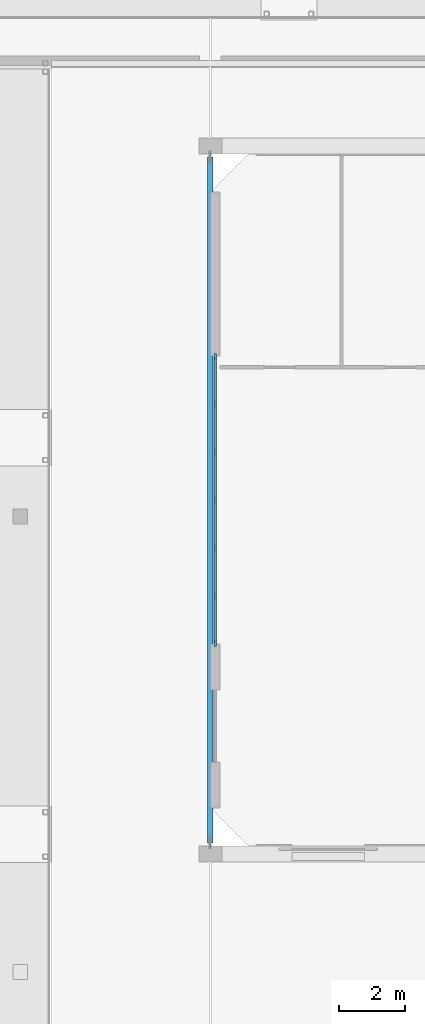
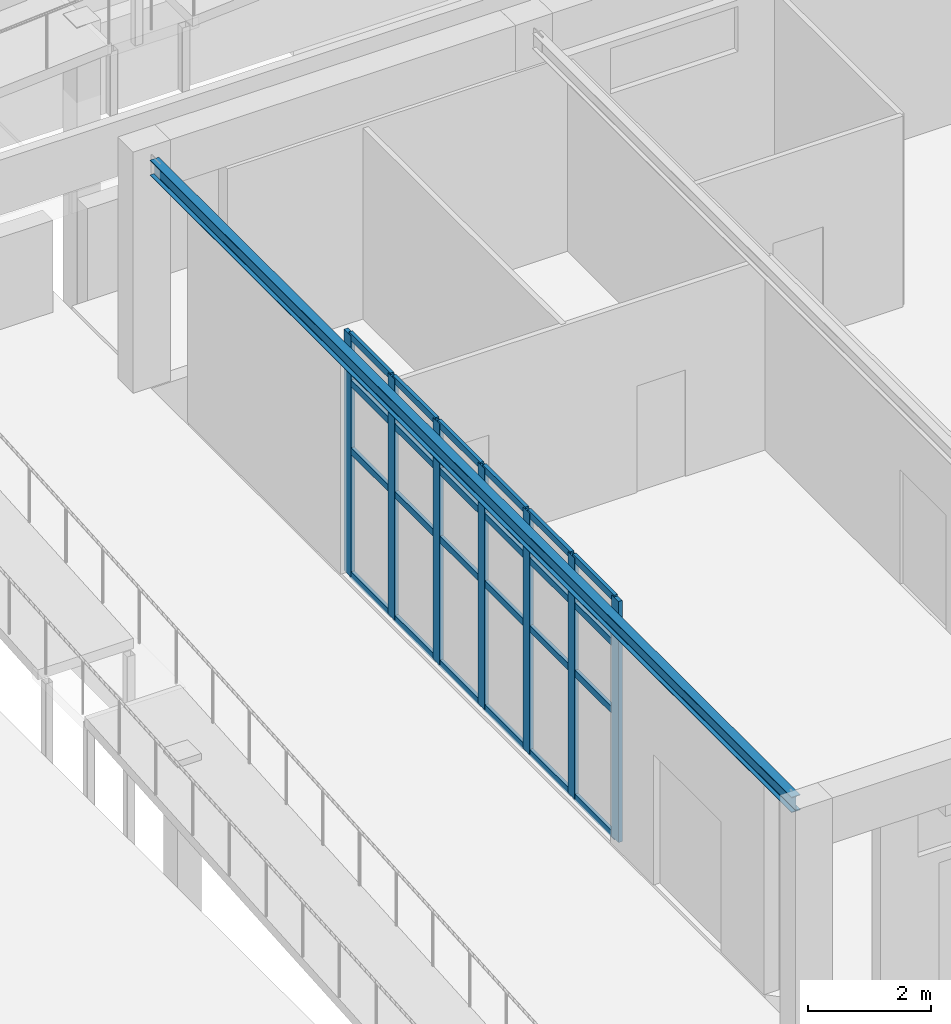
# One storey, part 26 of 85: 31 members, 1 beam, 1 element without a shape of its own.
"""IFC4 building model written with IfcOpenShell, lengths in metres."""

import ifcopenshell
import ifcopenshell.guid

model = None  # the IFC model being written
_history = None  # IfcOwnerHistory: only IFC2X3 demands one
_inside = {}  # id of a spatial element -> (the spatial element, [elements in it])
_under = {}  # id of a project, library or spatial element -> (it, [spatial elements below it])
_declared = {}  # id of a project -> (the project, [libraries it declares])
_typed = {}  # id of a type object -> (the type object, [elements of that type])
_made_of = {}  # id of a material, layer set ... -> (it, [elements and type objects made of it])


def new_model(schema):
    """Start an empty IFC model of exactly this schema.

    Asked for "IFC4X3", IfcOpenShell would pick the latest addendum, in which some entities
    have other attributes; the version numbers below select the first issue.
    IFC2X3 requires an IfcOwnerHistory on every rooted entity: one is made here for all.
    """
    global model, _history
    if schema == "IFC4X3":
        model = ifcopenshell.file(schema_version=(4, 3, 0, 0))
    else:
        model = ifcopenshell.file(schema=schema)
    _inside.clear()
    _under.clear()
    _declared.clear()
    _typed.clear()
    _made_of.clear()
    _history = None
    if model.schema == "IFC2X3":
        org = make("IfcOrganization", Name="unknown")
        user = make(
            "IfcPersonAndOrganization",
            ThePerson=make("IfcPerson", FamilyName="unknown"),
            TheOrganization=org,
        )
        app = make(
            "IfcApplication",
            ApplicationDeveloper=org,
            Version="unknown",
            ApplicationFullName="unknown",
            ApplicationIdentifier="unknown",
        )
        _history = make(
            "IfcOwnerHistory",
            OwningUser=user,
            OwningApplication=app,
            ChangeAction="ADDED",
            CreationDate=0,
        )
    return model


def make(cls, **values):
    """One entity of the class cls with the attributes given. An attribute that is None is left unset."""
    return model.create_entity(
        cls, **{name: value for name, value in values.items() if value is not None}
    )


def rooted(cls, **values):
    """An entity with a GlobalId (a new one), such as an element, a storey or a relation."""
    return make(cls, GlobalId=ifcopenshell.guid.new(), OwnerHistory=_history, **values)


def si_unit(unit_type, name, prefix=None):
    """IfcSIUnit, for example si_unit("LENGTHUNIT", "METRE", prefix="MILLI")."""
    return make("IfcSIUnit", UnitType=unit_type, Prefix=prefix, Name=name)


def assignment(units):
    """IfcUnitAssignment: the units of a project."""
    return None if units is None else make("IfcUnitAssignment", Units=units)


def point(xyz):
    """IfcCartesianPoint."""
    return None if xyz is None else make("IfcCartesianPoint", Coordinates=xyz)


def direction(xyz):
    """IfcDirection."""
    return None if xyz is None else make("IfcDirection", DirectionRatios=xyz)


def frame(location, z_axis=None, x_axis=None):
    """IfcAxis2Placement3D, a coordinate frame: its origin and axes. An axis left out is left unset."""
    return make(
        "IfcAxis2Placement3D",
        Location=point(location),
        Axis=direction(z_axis),
        RefDirection=direction(x_axis),
    )


def frame_2d(location, x_axis=None):
    """IfcAxis2Placement2D, a coordinate frame in the plane: its origin and x axis."""
    return make(
        "IfcAxis2Placement2D", Location=point(location), RefDirection=direction(x_axis)
    )


def origin():
    """The frame at (0, 0, 0) with its axes left unset."""
    return frame((0.0, 0.0, 0.0))


def origin_2d():
    """The frame at (0, 0) in the plane with its x axis left unset."""
    return frame_2d((0.0, 0.0))


def place(relative_to, where):
    """IfcLocalPlacement: puts the frame where relative to a parent placement (None: the world)."""
    return make(
        "IfcLocalPlacement", PlacementRelTo=relative_to, RelativePlacement=where
    )


def context(
    kind, dimensions, precision=None, world=None, true_north=None, identifier=None
):
    """IfcGeometricRepresentationContext, for example the 3D "Model" context."""
    return make(
        "IfcGeometricRepresentationContext",
        ContextIdentifier=identifier,
        ContextType=kind,
        CoordinateSpaceDimension=dimensions,
        Precision=precision,
        WorldCoordinateSystem=world,
        TrueNorth=true_north,
    )


def subcontext(parent, identifier, kind, view, scale=None):
    """IfcGeometricRepresentationSubContext, for example "Body" below "Model"."""
    return make(
        "IfcGeometricRepresentationSubContext",
        ContextIdentifier=identifier,
        ContextType=kind,
        ParentContext=parent,
        TargetScale=scale,
        TargetView=view,
    )


def project(units=None, contexts=None):
    """IfcProject with its units and contexts."""
    return rooted(
        "IfcProject",
        Name="project",
        RepresentationContexts=contexts,
        UnitsInContext=assignment(units),
    )


def spatial(cls, under=None, at=None, **own):
    """A site, building, storey or space (cls), placed at a placement, below another one or the project."""
    s = rooted(cls, ObjectPlacement=at, **own)
    if under is not None:
        _under.setdefault(under.id(), (under, []))[1].append(s)
    return s


def profile(cls, at=None, kind="AREA", **sizes):
    """A parametric profile (cls). Its sizes go by their IFC names, for example OverallWidth=200.0."""
    return make(cls, ProfileType=kind, Position=at, **sizes)


def rectangle(**sizes):
    """IfcRectangleProfileDef."""
    return profile("IfcRectangleProfileDef", **sizes)


def i_section(**sizes):
    """IfcIShapeProfileDef."""
    return profile("IfcIShapeProfileDef", **sizes)


def extrude(swept, where, along, depth):
    """IfcExtrudedAreaSolid: the profile swept, set in the frame where, extruded along a direction by depth."""
    return make(
        "IfcExtrudedAreaSolid",
        SweptArea=swept,
        Position=where,
        ExtrudedDirection=direction(along),
        Depth=depth,
    )


def shape(context_of_items, identifier, shape_type, items):
    """IfcShapeRepresentation: the items that make up one representation, for example the "Body"."""
    return make(
        "IfcShapeRepresentation",
        ContextOfItems=context_of_items,
        RepresentationIdentifier=identifier,
        RepresentationType=shape_type,
        Items=items,
    )


def material(Name=None, Category=None):
    """IfcMaterial."""
    return make("IfcMaterial", Name=Name, Category=Category)


def layer(
    of_material, thickness, ventilated=None, Name=None, Category=None, Priority=None
):
    """IfcMaterialLayer: one layer of a wall or slab, of a material (None: an air gap)."""
    return make(
        "IfcMaterialLayer",
        Material=of_material,
        LayerThickness=thickness,
        IsVentilated=ventilated,
        Name=Name,
        Category=Category,
        Priority=Priority,
    )


def layer_set(layers, Name=None):
    """IfcMaterialLayerSet."""
    return make("IfcMaterialLayerSet", MaterialLayers=layers, LayerSetName=Name)


def material_profile(
    of_material, cross_section, Name=None, Category=None, Priority=None
):
    """IfcMaterialProfile: a cross section and its material."""
    return make(
        "IfcMaterialProfile",
        Name=Name,
        Material=of_material,
        Profile=cross_section,
        Priority=Priority,
        Category=Category,
    )


def profile_set(profiles, Name=None, composite=None):
    """IfcMaterialProfileSet."""
    return make(
        "IfcMaterialProfileSet",
        Name=Name,
        MaterialProfiles=profiles,
        CompositeProfile=composite,
    )


def made_of(thing, what):
    """Note that an element or type object is made of a material, layer set ...; save() writes the relation."""
    if what is not None:
        _made_of.setdefault(what.id(), (what, []))[1].append(thing)
    return thing


def type_object(cls, material=None, **own):
    """A type object (cls), such as IfcWallType, which elements share."""
    return made_of(rooted(cls, **own), material)


def element(
    cls,
    number,
    at=None,
    inside=None,
    cuts=None,
    type_object=None,
    material=None,
    context=None,
    identifier="Body",
    shape_type=None,
    held_by="IfcProductDefinitionShape",
    body=None,
    shapes=None,
    **own,
):
    """One element of the class cls, such as IfcWall. Its Tag is "e" and its number.

    at: its placement. inside: the storey or other place that contains it. cuts: it is an
    opening in that element (IfcRelVoidsElement). A single representation is given by context,
    identifier, shape_type and body (its items); several are given by shapes. held_by: the class
    of the entity that holds the representations. save() writes the other relations.
    """
    e = rooted(cls, Tag="e%d" % number, ObjectPlacement=at, **own)
    if body is not None:
        shapes = [shape(context, identifier, shape_type, body)]
    if shapes is not None:
        e.Representation = make(held_by, Representations=shapes)
    if inside is not None:
        _inside.setdefault(inside.id(), (inside, []))[1].append(e)
    if cuts is not None:
        rooted(
            "IfcRelVoidsElement", RelatingBuildingElement=cuts, RelatedOpeningElement=e
        )
    if type_object is not None:
        _typed.setdefault(type_object.id(), (type_object, []))[1].append(e)
    return made_of(e, material)


def aggregate(whole, parts):
    """IfcRelAggregates: a whole, such as a stair, and the parts it consists of."""
    return rooted("IfcRelAggregates", RelatingObject=whole, RelatedObjects=parts)


def save(model, path):
    """Write the relations noted so far, then the file.

    IfcRelAggregates (storeys below a building ...), IfcRelContainedInSpatialStructure (elements
    in a storey), IfcRelDefinesByType, IfcRelAssociatesMaterial and IfcRelDeclares: one each for
    every whole, place, type object, material and project.
    """
    for whole, parts in _under.values():
        aggregate(whole, parts)
    for where, things in _inside.values():
        rooted(
            "IfcRelContainedInSpatialStructure",
            RelatedElements=things,
            RelatingStructure=where,
        )
    for kind, things in _typed.values():
        rooted("IfcRelDefinesByType", RelatedObjects=things, RelatingType=kind)
    for what, things in _made_of.values():
        rooted("IfcRelAssociatesMaterial", RelatedObjects=things, RelatingMaterial=what)
    for by, libraries in _declared.values():
        rooted("IfcRelDeclares", RelatingContext=by, RelatedDefinitions=libraries)
    model.write(path)


model = new_model("IFC4")

# Units and contexts
model_context = context("Model", 3, precision=1e-05, world=origin(), true_north=direction((0.0, 1.0)))
body_context = subcontext(model_context, "Body", "Model", "MODEL_VIEW")
ifc_project = project(units=[si_unit("LENGTHUNIT", "METRE"), si_unit("AREAUNIT", "SQUARE_METRE"), si_unit("VOLUMEUNIT", "CUBIC_METRE"), si_unit("PLANEANGLEUNIT", "RADIAN"), si_unit("MASSUNIT", "GRAM", prefix="KILO")], contexts=[model_context])

# Site, building, storey
site_placement = place(None, origin())
site = spatial("IfcSite", under=ifc_project, at=site_placement, CompositionType="ELEMENT")
building_placement = place(site_placement, origin())
building = spatial("IfcBuilding", under=site, at=building_placement, Name="Ochrevale Crest", CompositionType="ELEMENT")
storey_placement = place(building_placement, origin())
storey = spatial("IfcBuildingStorey", under=building, at=storey_placement, Name="L00", CompositionType="ELEMENT", Elevation=0.0)

# Beam
ifc_material_1 = material(Name="Steel S355", Category="steel")
ifc_material_profile_1 = material_profile(ifc_material_1, i_section(OverallWidth=0.166015625, OverallDepth=0.30712890625, WebThickness=0.006591796875, FlangeThickness=0.01171875, FilletRadius=0.011474609375, at=origin_2d()), Name="310UB46.2")
ifc_profile_set_1 = profile_set([ifc_material_profile_1], Name="Steel S355")
beam_type = type_object("IfcBeamType", Name="BM-UB310B", PredefinedType="BEAM", material=ifc_profile_set_1)
beam_placement = place(storey_placement, frame((57.60009765625, 43.5400390625, 4.449951171875), z_axis=(0.0, 1.0, 0.0), x_axis=(-1.0, 0.0, 0.0)))
element("IfcBeam", 1, at=beam_placement, inside=storey, type_object=beam_type, Name="Community Hall vault steel tie beam TB-01", PredefinedType="BEAM", context=body_context, shape_type="SweptSolid", body=[
    extrude(i_section(OverallWidth=0.166015625, OverallDepth=0.30712890625, WebThickness=0.006591796875, FlangeThickness=0.01171875, FilletRadius=0.011474609375, at=origin_2d()), origin(), (0.0, 0.0, 1.0), 20.919921875),
])

# Curtain wall, members
ifc_material_2 = material(Name="Anodised aluminium 6063-T5", Category="aluminium")
ifc_layer = layer(ifc_material_2, 0.14990234375)
ifc_layer_set = layer_set([ifc_layer], Name="Anodised aluminium 6063-T5")
curtain_wall_type = type_object("IfcCurtainWallType", Name="CW-HALL-600x430", PredefinedType="NOTDEFINED", material=ifc_layer_set)
curtain_wall_placement = place(storey_placement, origin())
curtain_wall = element("IfcCurtainWall", 2, at=curtain_wall_placement, inside=storey, type_object=curtain_wall_type, Name="Community Hall west grand foyer curtain wall", PredefinedType="NOTDEFINED")
ifc_material_profile_2 = material_profile(ifc_material_2, rectangle(XDim=0.074951171875, YDim=0.219970703125, at=origin_2d()), Name="ALU 75x220")
ifc_profile_set_2 = profile_set([ifc_material_profile_2], Name="Anodised aluminium 6063-T5")
member_type_1 = type_object("IfcMemberType", Name="CW-MUL-75x220", PredefinedType="MULLION", material=ifc_profile_set_2)
member_1_placement = place(storey_placement, frame((57.75, 49.637451171875, 0.0), z_axis=(0.0, 0.0, 1.0), x_axis=(-1.0, 0.0, 0.0)))
member_1 = element("IfcMember", 3, at=member_1_placement, type_object=member_type_1, Name="CW08 mullion 1", PredefinedType="MULLION", context=body_context, shape_type="SweptSolid", body=[
    extrude(rectangle(XDim=0.074951171875, YDim=0.219970703125, at=origin_2d()), origin(), (0.0, 0.0, 1.0), 4.800048828125),
])
member_2_placement = place(storey_placement, frame((57.75, 51.066650390625, 0.0), z_axis=(0.0, 0.0, 1.0), x_axis=(-1.0, 0.0, 0.0)))
member_2 = element("IfcMember", 4, at=member_2_placement, type_object=member_type_1, Name="CW08 mullion 2", PredefinedType="MULLION", context=body_context, shape_type="SweptSolid", body=[
    extrude(rectangle(XDim=0.074951171875, YDim=0.219970703125, at=origin_2d()), origin(), (0.0, 0.0, 1.0), 4.800048828125),
])
member_3_placement = place(storey_placement, frame((57.75, 52.533447265625, 0.0), z_axis=(0.0, 0.0, 1.0), x_axis=(-1.0, 0.0, 0.0)))
member_3 = element("IfcMember", 5, at=member_3_placement, type_object=member_type_1, Name="CW08 mullion 3", PredefinedType="MULLION", context=body_context, shape_type="SweptSolid", body=[
    extrude(rectangle(XDim=0.074951171875, YDim=0.219970703125, at=origin_2d()), origin(), (0.0, 0.0, 1.0), 4.800048828125),
])
member_4_placement = place(storey_placement, frame((57.75, 54.0, 0.0), z_axis=(0.0, 0.0, 1.0), x_axis=(-1.0, 0.0, 0.0)))
member_4 = element("IfcMember", 6, at=member_4_placement, type_object=member_type_1, Name="CW08 mullion 4", PredefinedType="MULLION", context=body_context, shape_type="SweptSolid", body=[
    extrude(rectangle(XDim=0.074951171875, YDim=0.219970703125, at=origin_2d()), origin(), (0.0, 0.0, 1.0), 4.800048828125),
])
member_5_placement = place(storey_placement, frame((57.75, 55.466552734375, 0.0), z_axis=(0.0, 0.0, 1.0), x_axis=(-1.0, 0.0, 0.0)))
member_5 = element("IfcMember", 7, at=member_5_placement, type_object=member_type_1, Name="CW08 mullion 5", PredefinedType="MULLION", context=body_context, shape_type="SweptSolid", body=[
    extrude(rectangle(XDim=0.074951171875, YDim=0.219970703125, at=origin_2d()), origin(), (0.0, 0.0, 1.0), 4.800048828125),
])
member_6_placement = place(storey_placement, frame((57.75, 56.933349609375, 0.0), z_axis=(0.0, 0.0, 1.0), x_axis=(-1.0, 0.0, 0.0)))
member_6 = element("IfcMember", 8, at=member_6_placement, type_object=member_type_1, Name="CW08 mullion 6", PredefinedType="MULLION", context=body_context, shape_type="SweptSolid", body=[
    extrude(rectangle(XDim=0.074951171875, YDim=0.219970703125, at=origin_2d()), origin(), (0.0, 0.0, 1.0), 4.800048828125),
])
member_7_placement = place(storey_placement, frame((57.75, 58.362548828125, 0.0), z_axis=(0.0, 0.0, 1.0), x_axis=(-1.0, 0.0, 0.0)))
member_7 = element("IfcMember", 9, at=member_7_placement, type_object=member_type_1, Name="CW08 mullion 7", PredefinedType="MULLION", context=body_context, shape_type="SweptSolid", body=[
    extrude(rectangle(XDim=0.074951171875, YDim=0.219970703125, at=origin_2d()), origin(), (0.0, 0.0, 1.0), 4.800048828125),
])
ifc_material_profile_3 = material_profile(ifc_material_2, rectangle(XDim=0.06494140625, YDim=0.135009765625, at=origin_2d()), Name="ALU 65x135")
ifc_profile_set_3 = profile_set([ifc_material_profile_3], Name="Anodised aluminium 6063-T5")
member_type_2 = type_object("IfcMemberType", Name="CW-TRN-65x135", PredefinedType="USERDEFINED", material=ifc_profile_set_3)
member_8_placement = place(storey_placement, frame((57.75, 49.675048828125, 0.032470703125), z_axis=(0.0, 1.0, 0.0), x_axis=(-1.0, 0.0, 0.0)))
member_8 = element("IfcMember", 10, at=member_8_placement, type_object=member_type_2, Name="CW08 transom 1.1", ObjectType="TRANSOM", PredefinedType="USERDEFINED", context=body_context, shape_type="SweptSolid", body=[
    extrude(rectangle(XDim=0.06494140625, YDim=0.135009765625, at=origin_2d()), origin(), (0.0, 0.0, 1.0), 1.35400390625),
])
member_9_placement = place(storey_placement, frame((57.75, 49.675048828125, 2.5), z_axis=(0.0, 1.0, 0.0), x_axis=(-1.0, 0.0, 0.0)))
member_9 = element("IfcMember", 11, at=member_9_placement, type_object=member_type_2, Name="CW08 transom 1.2", ObjectType="TRANSOM", PredefinedType="USERDEFINED", context=body_context, shape_type="SweptSolid", body=[
    extrude(rectangle(XDim=0.06494140625, YDim=0.135009765625, at=origin_2d()), origin(), (0.0, 0.0, 1.0), 1.35400390625),
])
member_10_placement = place(storey_placement, frame((57.75, 49.675048828125, 3.85009765625), z_axis=(0.0, 1.0, 0.0), x_axis=(-1.0, 0.0, 0.0)))
member_10 = element("IfcMember", 12, at=member_10_placement, type_object=member_type_2, Name="CW08 transom 1.3", ObjectType="TRANSOM", PredefinedType="USERDEFINED", context=body_context, shape_type="SweptSolid", body=[
    extrude(rectangle(XDim=0.06494140625, YDim=0.135009765625, at=origin_2d()), origin(), (0.0, 0.0, 1.0), 1.35400390625),
])
member_11_placement = place(storey_placement, frame((57.75, 49.675048828125, 4.767578125), z_axis=(0.0, 1.0, 0.0), x_axis=(-1.0, 0.0, 0.0)))
member_11 = element("IfcMember", 13, at=member_11_placement, type_object=member_type_2, Name="CW08 transom 1.4", ObjectType="TRANSOM", PredefinedType="USERDEFINED", context=body_context, shape_type="SweptSolid", body=[
    extrude(rectangle(XDim=0.06494140625, YDim=0.135009765625, at=origin_2d()), origin(), (0.0, 0.0, 1.0), 1.35400390625),
])
member_12_placement = place(storey_placement, frame((57.75, 51.104248046875, 0.032470703125), z_axis=(0.0, 1.0, 0.0), x_axis=(-1.0, 0.0, 0.0)))
member_12 = element("IfcMember", 14, at=member_12_placement, type_object=member_type_2, Name="CW08 transom 2.1", ObjectType="TRANSOM", PredefinedType="USERDEFINED", context=body_context, shape_type="SweptSolid", body=[
    extrude(rectangle(XDim=0.06494140625, YDim=0.135009765625, at=origin_2d()), origin(), (0.0, 0.0, 1.0), 1.3916015625),
])
member_13_placement = place(storey_placement, frame((57.75, 51.104248046875, 2.5), z_axis=(0.0, 1.0, 0.0), x_axis=(-1.0, 0.0, 0.0)))
member_13 = element("IfcMember", 15, at=member_13_placement, type_object=member_type_2, Name="CW08 transom 2.2", ObjectType="TRANSOM", PredefinedType="USERDEFINED", context=body_context, shape_type="SweptSolid", body=[
    extrude(rectangle(XDim=0.06494140625, YDim=0.135009765625, at=origin_2d()), origin(), (0.0, 0.0, 1.0), 1.3916015625),
])
member_14_placement = place(storey_placement, frame((57.75, 51.104248046875, 3.85009765625), z_axis=(0.0, 1.0, 0.0), x_axis=(-1.0, 0.0, 0.0)))
member_14 = element("IfcMember", 16, at=member_14_placement, type_object=member_type_2, Name="CW08 transom 2.3", ObjectType="TRANSOM", PredefinedType="USERDEFINED", context=body_context, shape_type="SweptSolid", body=[
    extrude(rectangle(XDim=0.06494140625, YDim=0.135009765625, at=origin_2d()), origin(), (0.0, 0.0, 1.0), 1.3916015625),
])
member_15_placement = place(storey_placement, frame((57.75, 51.104248046875, 4.767578125), z_axis=(0.0, 1.0, 0.0), x_axis=(-1.0, 0.0, 0.0)))
member_15 = element("IfcMember", 17, at=member_15_placement, type_object=member_type_2, Name="CW08 transom 2.4", ObjectType="TRANSOM", PredefinedType="USERDEFINED", context=body_context, shape_type="SweptSolid", body=[
    extrude(rectangle(XDim=0.06494140625, YDim=0.135009765625, at=origin_2d()), origin(), (0.0, 0.0, 1.0), 1.3916015625),
])
member_16_placement = place(storey_placement, frame((57.75, 52.57080078125, 0.032470703125), z_axis=(0.0, 1.0, 0.0), x_axis=(-1.0, 0.0, 0.0)))
member_16 = element("IfcMember", 18, at=member_16_placement, type_object=member_type_2, Name="CW08 transom 3.1", ObjectType="TRANSOM", PredefinedType="USERDEFINED", context=body_context, shape_type="SweptSolid", body=[
    extrude(rectangle(XDim=0.06494140625, YDim=0.135009765625, at=origin_2d()), origin(), (0.0, 0.0, 1.0), 1.3916015625),
])
member_17_placement = place(storey_placement, frame((57.75, 52.57080078125, 2.5), z_axis=(0.0, 1.0, 0.0), x_axis=(-1.0, 0.0, 0.0)))
member_17 = element("IfcMember", 19, at=member_17_placement, type_object=member_type_2, Name="CW08 transom 3.2", ObjectType="TRANSOM", PredefinedType="USERDEFINED", context=body_context, shape_type="SweptSolid", body=[
    extrude(rectangle(XDim=0.06494140625, YDim=0.135009765625, at=origin_2d()), origin(), (0.0, 0.0, 1.0), 1.3916015625),
])
member_18_placement = place(storey_placement, frame((57.75, 52.57080078125, 3.85009765625), z_axis=(0.0, 1.0, 0.0), x_axis=(-1.0, 0.0, 0.0)))
member_18 = element("IfcMember", 20, at=member_18_placement, type_object=member_type_2, Name="CW08 transom 3.3", ObjectType="TRANSOM", PredefinedType="USERDEFINED", context=body_context, shape_type="SweptSolid", body=[
    extrude(rectangle(XDim=0.06494140625, YDim=0.135009765625, at=origin_2d()), origin(), (0.0, 0.0, 1.0), 1.3916015625),
])
member_19_placement = place(storey_placement, frame((57.75, 52.57080078125, 4.767578125), z_axis=(0.0, 1.0, 0.0), x_axis=(-1.0, 0.0, 0.0)))
member_19 = element("IfcMember", 21, at=member_19_placement, type_object=member_type_2, Name="CW08 transom 3.4", ObjectType="TRANSOM", PredefinedType="USERDEFINED", context=body_context, shape_type="SweptSolid", body=[
    extrude(rectangle(XDim=0.06494140625, YDim=0.135009765625, at=origin_2d()), origin(), (0.0, 0.0, 1.0), 1.3916015625),
])
member_20_placement = place(storey_placement, frame((57.75, 54.03759765625, 0.032470703125), z_axis=(0.0, 1.0, 0.0), x_axis=(-1.0, 0.0, 0.0)))
member_20 = element("IfcMember", 22, at=member_20_placement, type_object=member_type_2, Name="CW08 transom 4.1", ObjectType="TRANSOM", PredefinedType="USERDEFINED", context=body_context, shape_type="SweptSolid", body=[
    extrude(rectangle(XDim=0.06494140625, YDim=0.135009765625, at=origin_2d()), origin(), (0.0, 0.0, 1.0), 1.3916015625),
])
member_21_placement = place(storey_placement, frame((57.75, 54.03759765625, 2.5), z_axis=(0.0, 1.0, 0.0), x_axis=(-1.0, 0.0, 0.0)))
member_21 = element("IfcMember", 23, at=member_21_placement, type_object=member_type_2, Name="CW08 transom 4.2", ObjectType="TRANSOM", PredefinedType="USERDEFINED", context=body_context, shape_type="SweptSolid", body=[
    extrude(rectangle(XDim=0.06494140625, YDim=0.135009765625, at=origin_2d()), origin(), (0.0, 0.0, 1.0), 1.3916015625),
])
member_22_placement = place(storey_placement, frame((57.75, 54.03759765625, 3.85009765625), z_axis=(0.0, 1.0, 0.0), x_axis=(-1.0, 0.0, 0.0)))
member_22 = element("IfcMember", 24, at=member_22_placement, type_object=member_type_2, Name="CW08 transom 4.3", ObjectType="TRANSOM", PredefinedType="USERDEFINED", context=body_context, shape_type="SweptSolid", body=[
    extrude(rectangle(XDim=0.06494140625, YDim=0.135009765625, at=origin_2d()), origin(), (0.0, 0.0, 1.0), 1.3916015625),
])
member_23_placement = place(storey_placement, frame((57.75, 54.03759765625, 4.767578125), z_axis=(0.0, 1.0, 0.0), x_axis=(-1.0, 0.0, 0.0)))
member_23 = element("IfcMember", 25, at=member_23_placement, type_object=member_type_2, Name="CW08 transom 4.4", ObjectType="TRANSOM", PredefinedType="USERDEFINED", context=body_context, shape_type="SweptSolid", body=[
    extrude(rectangle(XDim=0.06494140625, YDim=0.135009765625, at=origin_2d()), origin(), (0.0, 0.0, 1.0), 1.3916015625),
])
member_24_placement = place(storey_placement, frame((57.75, 55.504150390625, 0.032470703125), z_axis=(0.0, 1.0, 0.0), x_axis=(-1.0, 0.0, 0.0)))
member_24 = element("IfcMember", 26, at=member_24_placement, type_object=member_type_2, Name="CW08 transom 5.1", ObjectType="TRANSOM", PredefinedType="USERDEFINED", context=body_context, shape_type="SweptSolid", body=[
    extrude(rectangle(XDim=0.06494140625, YDim=0.135009765625, at=origin_2d()), origin(), (0.0, 0.0, 1.0), 1.3916015625),
])
member_25_placement = place(storey_placement, frame((57.75, 55.504150390625, 2.5), z_axis=(0.0, 1.0, 0.0), x_axis=(-1.0, 0.0, 0.0)))
member_25 = element("IfcMember", 27, at=member_25_placement, type_object=member_type_2, Name="CW08 transom 5.2", ObjectType="TRANSOM", PredefinedType="USERDEFINED", context=body_context, shape_type="SweptSolid", body=[
    extrude(rectangle(XDim=0.06494140625, YDim=0.135009765625, at=origin_2d()), origin(), (0.0, 0.0, 1.0), 1.3916015625),
])
member_26_placement = place(storey_placement, frame((57.75, 55.504150390625, 3.85009765625), z_axis=(0.0, 1.0, 0.0), x_axis=(-1.0, 0.0, 0.0)))
member_26 = element("IfcMember", 28, at=member_26_placement, type_object=member_type_2, Name="CW08 transom 5.3", ObjectType="TRANSOM", PredefinedType="USERDEFINED", context=body_context, shape_type="SweptSolid", body=[
    extrude(rectangle(XDim=0.06494140625, YDim=0.135009765625, at=origin_2d()), origin(), (0.0, 0.0, 1.0), 1.3916015625),
])
member_27_placement = place(storey_placement, frame((57.75, 55.504150390625, 4.767578125), z_axis=(0.0, 1.0, 0.0), x_axis=(-1.0, 0.0, 0.0)))
member_27 = element("IfcMember", 29, at=member_27_placement, type_object=member_type_2, Name="CW08 transom 5.4", ObjectType="TRANSOM", PredefinedType="USERDEFINED", context=body_context, shape_type="SweptSolid", body=[
    extrude(rectangle(XDim=0.06494140625, YDim=0.135009765625, at=origin_2d()), origin(), (0.0, 0.0, 1.0), 1.3916015625),
])
member_28_placement = place(storey_placement, frame((57.75, 56.970947265625, 0.032470703125), z_axis=(0.0, 1.0, 0.0), x_axis=(-1.0, 0.0, 0.0)))
member_28 = element("IfcMember", 30, at=member_28_placement, type_object=member_type_2, Name="CW08 transom 6.1", ObjectType="TRANSOM", PredefinedType="USERDEFINED", context=body_context, shape_type="SweptSolid", body=[
    extrude(rectangle(XDim=0.06494140625, YDim=0.135009765625, at=origin_2d()), origin(), (0.0, 0.0, 1.0), 1.35400390625),
])
member_29_placement = place(storey_placement, frame((57.75, 56.970947265625, 2.5), z_axis=(0.0, 1.0, 0.0), x_axis=(-1.0, 0.0, 0.0)))
member_29 = element("IfcMember", 31, at=member_29_placement, type_object=member_type_2, Name="CW08 transom 6.2", ObjectType="TRANSOM", PredefinedType="USERDEFINED", context=body_context, shape_type="SweptSolid", body=[
    extrude(rectangle(XDim=0.06494140625, YDim=0.135009765625, at=origin_2d()), origin(), (0.0, 0.0, 1.0), 1.35400390625),
])
member_30_placement = place(storey_placement, frame((57.75, 56.970947265625, 3.85009765625), z_axis=(0.0, 1.0, 0.0), x_axis=(-1.0, 0.0, 0.0)))
member_30 = element("IfcMember", 32, at=member_30_placement, type_object=member_type_2, Name="CW08 transom 6.3", ObjectType="TRANSOM", PredefinedType="USERDEFINED", context=body_context, shape_type="SweptSolid", body=[
    extrude(rectangle(XDim=0.06494140625, YDim=0.135009765625, at=origin_2d()), origin(), (0.0, 0.0, 1.0), 1.35400390625),
])
member_31_placement = place(storey_placement, frame((57.75, 56.970947265625, 4.767578125), z_axis=(0.0, 1.0, 0.0), x_axis=(-1.0, 0.0, 0.0)))
member_31 = element("IfcMember", 33, at=member_31_placement, type_object=member_type_2, Name="CW08 transom 6.4", ObjectType="TRANSOM", PredefinedType="USERDEFINED", context=body_context, shape_type="SweptSolid", body=[
    extrude(rectangle(XDim=0.06494140625, YDim=0.135009765625, at=origin_2d()), origin(), (0.0, 0.0, 1.0), 1.35400390625),
])
aggregate(curtain_wall, [member_1, member_2, member_3, member_4, member_5, member_6, member_7, member_8, member_9, member_10, member_11, member_12, member_13, member_14, member_15, member_16, member_17, member_18, member_19, member_20, member_21, member_22, member_23, member_24, member_25, member_26, member_27, member_28, member_29, member_30, member_31])

save(model, "model.ifc")
